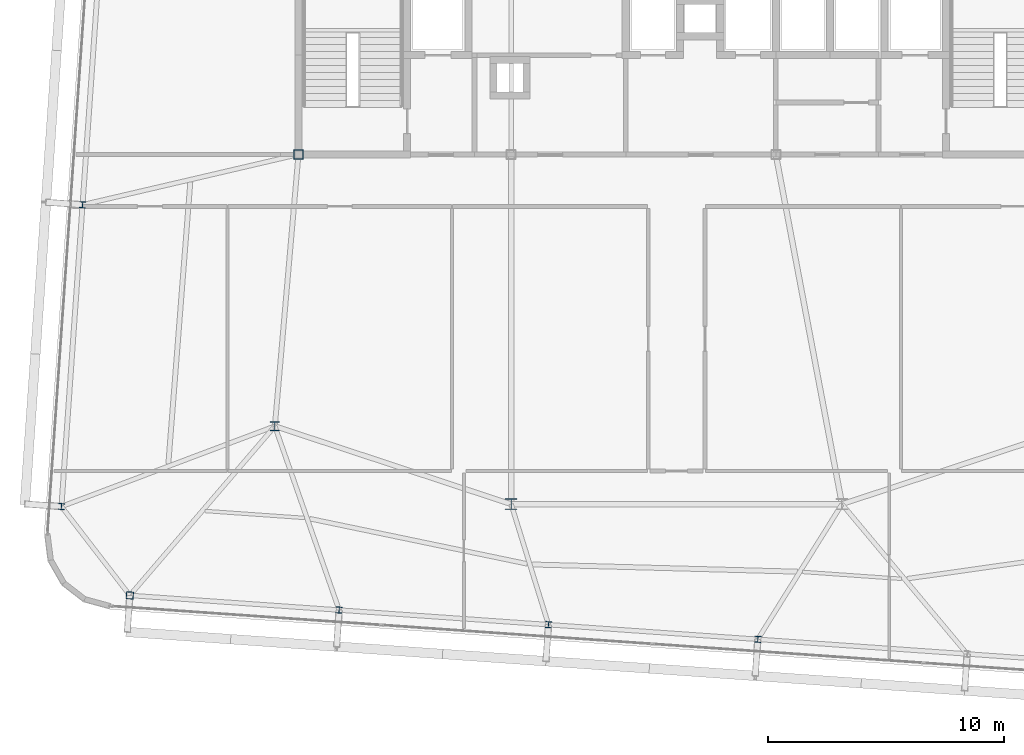
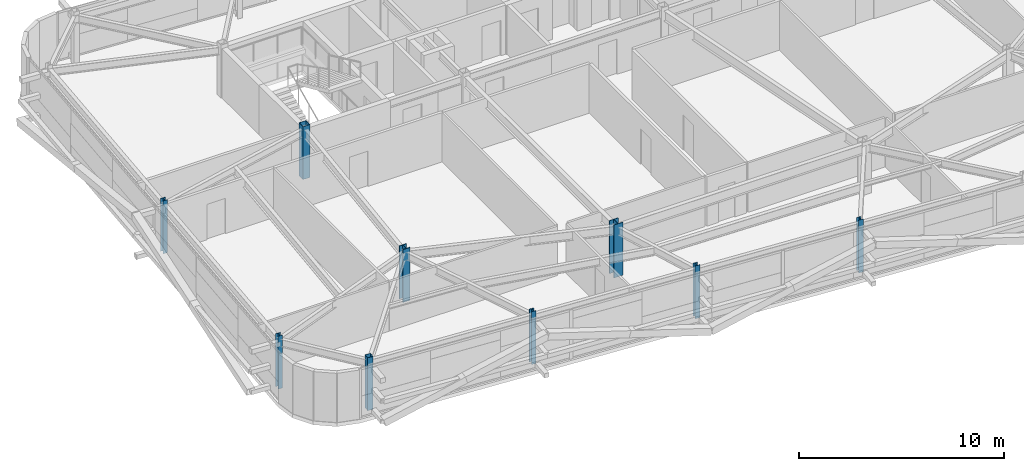
# One storey, part 1 of 39: 9 columns.
"""IFC4 building model written with IfcOpenShell, lengths in metres."""

from ifc_helpers import new_model, si_unit, direction, frame, origin, origin_2d, place, context, subcontext, project, spatial, hollow_rectangle, i_section, extrude, source, transform, mapped, material, material_profile, profile_set, type_object, element, save


model = new_model("IFC4")

# Units and contexts
model_context = context("Model", 3, precision=1e-05, world=origin(), true_north=direction((0.0, 1.0)))
body_context = subcontext(model_context, "Body", "Model", "MODEL_VIEW")
ifc_project = project(units=[si_unit("LENGTHUNIT", "METRE"), si_unit("AREAUNIT", "SQUARE_METRE"), si_unit("VOLUMEUNIT", "CUBIC_METRE"), si_unit("PLANEANGLEUNIT", "RADIAN"), si_unit("MASSUNIT", "GRAM", prefix="KILO")], contexts=[model_context])

# Site, building, storey
site_placement = place(None, origin())
site = spatial("IfcSite", under=ifc_project, at=site_placement, CompositionType="ELEMENT")
building_placement = place(site_placement, origin())
building = spatial("IfcBuilding", under=site, at=building_placement, Name="Taldren Reach Tower", CompositionType="ELEMENT")
storey_placement = place(building_placement, frame((0.0, 0.0, 126.699951171875)))
storey = spatial("IfcBuildingStorey", under=building, at=storey_placement, Name="L38", CompositionType="ELEMENT", Elevation=126.699951171875)

# Columns
ifc_material_1 = material(Name="Steel Gr 350 (350PLUS)", Category="steel")
ifc_material_profile_1 = material_profile(ifc_material_1, i_section(OverallWidth=0.39990234375, OverallDepth=0.39599609375, WebThickness=0.02197265625, FlangeThickness=0.033935546875, at=origin_2d()), Name="400WC270")
ifc_profile_set_1 = profile_set([ifc_material_profile_1], Name="Steel Gr 350 (350PLUS)")
column_type_1 = type_object("IfcColumnType", Name="COL-WC400", PredefinedType="COLUMN", material=ifc_profile_set_1)
shared_shape_1 = source(origin(), body_context, "Body", "SweptSolid", [
    extrude(i_section(OverallWidth=0.39990234375, OverallDepth=0.39599609375, WebThickness=0.02197265625, FlangeThickness=0.033935546875, at=origin_2d()), origin(), (0.0, 0.0, 1.0), 3.150146484375),
])
column_1_placement = place(storey_placement, frame((18.0, 12.5, 0.0), z_axis=(0.0, 0.0, 1.0), x_axis=(1.0, 0.0, 0.0)))
element("IfcColumn", 1, at=column_1_placement, inside=storey, type_object=column_type_1, Name="Mega column MC-SW L38", PredefinedType="COLUMN", context=body_context, shape_type="MappedRepresentation", body=[
    mapped(shared_shape_1, transform((0.0, 0.0, 0.0), scale=1.0)),
])
ifc_material_profile_2 = material_profile(ifc_material_1, i_section(OverallWidth=0.5, OverallDepth=0.464111328125, WebThickness=0.02197265625, FlangeThickness=0.033935546875, at=origin_2d()), Name="500WC340")
ifc_profile_set_2 = profile_set([ifc_material_profile_2], Name="Steel Gr 350 (350PLUS)")
column_type_2 = type_object("IfcColumnType", Name="COL-WC500B", PredefinedType="COLUMN", material=ifc_profile_set_2)
shared_shape_2 = source(origin(), body_context, "Body", "SweptSolid", [
    extrude(i_section(OverallWidth=0.5, OverallDepth=0.464111328125, WebThickness=0.02197265625, FlangeThickness=0.033935546875, at=origin_2d()), origin(), (0.0, 0.0, 1.0), 3.150146484375),
])
column_2_placement = place(storey_placement, frame((28.0, 9.199951171875, 0.0), z_axis=(0.0, 0.0, 1.0), x_axis=(1.0, 0.0, 0.0)))
element("IfcColumn", 2, at=column_2_placement, inside=storey, type_object=column_type_2, Name="Mega column MC-PJW L38", PredefinedType="COLUMN", context=body_context, shape_type="MappedRepresentation", body=[
    mapped(shared_shape_2, transform((0.0, 0.0, 0.0), scale=1.0)),
])
ifc_material_2 = material(Name="Steel Gr 450 (C450L0)", Category="steel")
ifc_material_profile_3 = material_profile(ifc_material_2, hollow_rectangle(XDim=0.39990234375, YDim=0.39990234375, WallThickness=0.01611328125, at=origin_2d()), Name="400x400x16.0SHS")
ifc_profile_set_3 = profile_set([ifc_material_profile_3], Name="Steel Gr 450 (C450L0)")
column_type_3 = type_object("IfcColumnType", Name="COL-SHS400", PredefinedType="COLUMN", material=ifc_profile_set_3)
shared_shape_3 = source(origin(), body_context, "Body", "SweptSolid", [
    extrude(hollow_rectangle(XDim=0.39990234375, YDim=0.39990234375, WallThickness=0.01611328125, at=origin_2d()), origin(), (0.0, 0.0, 1.0), 3.150146484375),
])
column_3_placement = place(storey_placement, frame((19.0, 24.0, 0.0), z_axis=(0.0, 0.0, 1.0), x_axis=(1.0, 0.0, 0.0)))
element("IfcColumn", 3, at=column_3_placement, inside=storey, type_object=column_type_3, Name="Mega column MC-C1 L38", PredefinedType="COLUMN", context=body_context, shape_type="MappedRepresentation", body=[
    mapped(shared_shape_3, transform((0.0, 0.0, 0.0), scale=1.0)),
])
ifc_material_profile_4 = material_profile(ifc_material_2, hollow_rectangle(XDim=0.300048828125, YDim=0.300048828125, WallThickness=0.012451171875, at=origin_2d()), Name="300x300x12.5SHS")
ifc_profile_set_4 = profile_set([ifc_material_profile_4], Name="Steel Gr 450 (C450L0)")
column_type_4 = type_object("IfcColumnType", Name="COL-SHS300", PredefinedType="COLUMN", material=ifc_profile_set_4)
shared_shape_4 = source(origin(), body_context, "Body", "SweptSolid", [
    extrude(hollow_rectangle(XDim=0.300048828125, YDim=0.300048828125, WallThickness=0.012451171875, at=origin_2d()), origin(), (0.0, 0.0, 1.0), 3.150146484375),
])
column_4_placement = place(storey_placement, frame((11.863525390625, 5.33837890625, 0.0), z_axis=(0.0, 0.0, 1.0), x_axis=(0.99756405026, -0.069756473744, 0.0)))
element("IfcColumn", 4, at=column_4_placement, inside=storey, type_object=column_type_4, Name="Block B3 perimeter column S1 L38", PredefinedType="COLUMN", context=body_context, shape_type="MappedRepresentation", body=[
    mapped(shared_shape_4, transform((0.0, 0.0, 0.0), scale=1.0)),
])
ifc_material_profile_5 = material_profile(ifc_material_1, i_section(OverallWidth=0.256103515625, OverallDepth=0.260009765625, WebThickness=0.010498046875, FlangeThickness=0.017333984375, at=origin_2d()), Name="250UC89.5")
ifc_profile_set_5 = profile_set([ifc_material_profile_5], Name="Steel Gr 350 (350PLUS)")
column_type_5 = type_object("IfcColumnType", Name="COL-UC250", PredefinedType="COLUMN", material=ifc_profile_set_5)
shared_shape_5 = source(origin(), body_context, "Body", "SweptSolid", [
    extrude(i_section(OverallWidth=0.256103515625, OverallDepth=0.260009765625, WebThickness=0.010498046875, FlangeThickness=0.017333984375, at=origin_2d()), origin(), (0.0, 0.0, 1.0), 3.150146484375),
])
for number, where, z_axis, x_axis, name in (
    (5, (20.721923828125, 4.718994140625, 0.0), (0.0, 0.0, 1.0), (0.99756405026, -0.069756473744, 0.0), "Block B3 perimeter column S2 L38"),
    (6, (29.580322265625, 4.099609375, 0.0), (0.0, 0.0, 1.0), (0.99756405026, -0.069756473744, 0.0), "Block B3 perimeter column S3 L38"),
    (7, (38.438720703125, 3.480224609375, 0.0), (0.0, 0.0, 1.0), (0.99756405026, -0.069756473744, 0.0), "Block B3 perimeter column S4 L38"),
    (8, (8.96875, 9.099609375, 0.0), (0.0, 0.0, 1.0), (0.99756405026, -0.069756473744, 0.0), "Block B3 perimeter column W1 L38"),
    (9, (9.86181640625, 21.868408203125, 0.0), (0.0, 0.0, 1.0), (0.99756405026, -0.069756473744, 0.0), "Block B3 perimeter column W2 L38"),
):
    element("IfcColumn", number, at=place(storey_placement, frame(where, z_axis=z_axis, x_axis=x_axis)), inside=storey, type_object=column_type_5, Name=name, PredefinedType="COLUMN", context=body_context, shape_type="MappedRepresentation", body=[
        mapped(shared_shape_5, transform((0.0, 0.0, 0.0), scale=1.0)),
    ])

save(model, "model.ifc")
